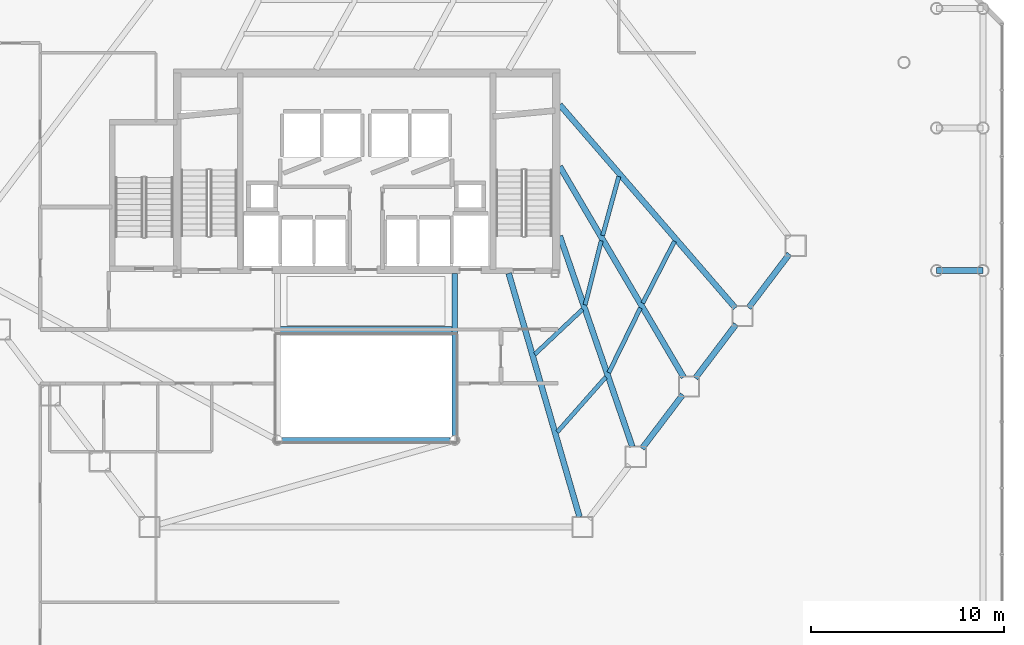
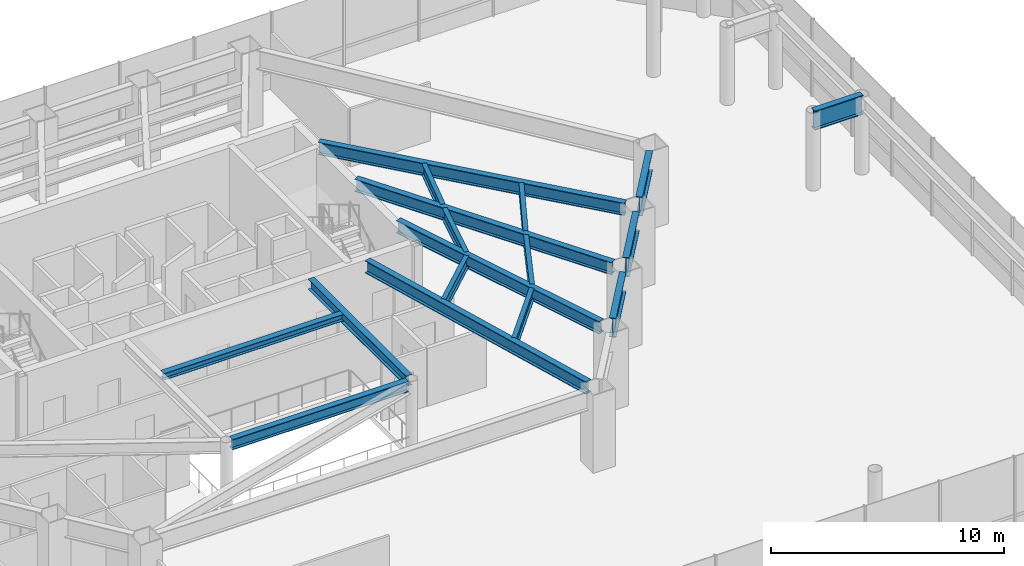
# One storey, part 15 of 33: 17 beams.
"""IFC4 building model written with IfcOpenShell, lengths in metres."""

import ifcopenshell
import ifcopenshell.guid

model = None  # the IFC model being written
_history = None  # IfcOwnerHistory: only IFC2X3 demands one
_inside = {}  # id of a spatial element -> (the spatial element, [elements in it])
_under = {}  # id of a project, library or spatial element -> (it, [spatial elements below it])
_declared = {}  # id of a project -> (the project, [libraries it declares])
_typed = {}  # id of a type object -> (the type object, [elements of that type])
_made_of = {}  # id of a material, layer set ... -> (it, [elements and type objects made of it])


def new_model(schema):
    """Start an empty IFC model of exactly this schema.

    Asked for "IFC4X3", IfcOpenShell would pick the latest addendum, in which some entities
    have other attributes; the version numbers below select the first issue.
    IFC2X3 requires an IfcOwnerHistory on every rooted entity: one is made here for all.
    """
    global model, _history
    if schema == "IFC4X3":
        model = ifcopenshell.file(schema_version=(4, 3, 0, 0))
    else:
        model = ifcopenshell.file(schema=schema)
    _inside.clear()
    _under.clear()
    _declared.clear()
    _typed.clear()
    _made_of.clear()
    _history = None
    if model.schema == "IFC2X3":
        org = make("IfcOrganization", Name="unknown")
        user = make(
            "IfcPersonAndOrganization",
            ThePerson=make("IfcPerson", FamilyName="unknown"),
            TheOrganization=org,
        )
        app = make(
            "IfcApplication",
            ApplicationDeveloper=org,
            Version="unknown",
            ApplicationFullName="unknown",
            ApplicationIdentifier="unknown",
        )
        _history = make(
            "IfcOwnerHistory",
            OwningUser=user,
            OwningApplication=app,
            ChangeAction="ADDED",
            CreationDate=0,
        )
    return model


def make(cls, **values):
    """One entity of the class cls with the attributes given. An attribute that is None is left unset."""
    return model.create_entity(
        cls, **{name: value for name, value in values.items() if value is not None}
    )


def rooted(cls, **values):
    """An entity with a GlobalId (a new one), such as an element, a storey or a relation."""
    return make(cls, GlobalId=ifcopenshell.guid.new(), OwnerHistory=_history, **values)


def si_unit(unit_type, name, prefix=None):
    """IfcSIUnit, for example si_unit("LENGTHUNIT", "METRE", prefix="MILLI")."""
    return make("IfcSIUnit", UnitType=unit_type, Prefix=prefix, Name=name)


def assignment(units):
    """IfcUnitAssignment: the units of a project."""
    return None if units is None else make("IfcUnitAssignment", Units=units)


def point(xyz):
    """IfcCartesianPoint."""
    return None if xyz is None else make("IfcCartesianPoint", Coordinates=xyz)


def direction(xyz):
    """IfcDirection."""
    return None if xyz is None else make("IfcDirection", DirectionRatios=xyz)


def frame(location, z_axis=None, x_axis=None):
    """IfcAxis2Placement3D, a coordinate frame: its origin and axes. An axis left out is left unset."""
    return make(
        "IfcAxis2Placement3D",
        Location=point(location),
        Axis=direction(z_axis),
        RefDirection=direction(x_axis),
    )


def frame_2d(location, x_axis=None):
    """IfcAxis2Placement2D, a coordinate frame in the plane: its origin and x axis."""
    return make(
        "IfcAxis2Placement2D", Location=point(location), RefDirection=direction(x_axis)
    )


def origin():
    """The frame at (0, 0, 0) with its axes left unset."""
    return frame((0.0, 0.0, 0.0))


def origin_2d():
    """The frame at (0, 0) in the plane with its x axis left unset."""
    return frame_2d((0.0, 0.0))


def place(relative_to, where):
    """IfcLocalPlacement: puts the frame where relative to a parent placement (None: the world)."""
    return make(
        "IfcLocalPlacement", PlacementRelTo=relative_to, RelativePlacement=where
    )


def context(
    kind, dimensions, precision=None, world=None, true_north=None, identifier=None
):
    """IfcGeometricRepresentationContext, for example the 3D "Model" context."""
    return make(
        "IfcGeometricRepresentationContext",
        ContextIdentifier=identifier,
        ContextType=kind,
        CoordinateSpaceDimension=dimensions,
        Precision=precision,
        WorldCoordinateSystem=world,
        TrueNorth=true_north,
    )


def subcontext(parent, identifier, kind, view, scale=None):
    """IfcGeometricRepresentationSubContext, for example "Body" below "Model"."""
    return make(
        "IfcGeometricRepresentationSubContext",
        ContextIdentifier=identifier,
        ContextType=kind,
        ParentContext=parent,
        TargetScale=scale,
        TargetView=view,
    )


def project(units=None, contexts=None):
    """IfcProject with its units and contexts."""
    return rooted(
        "IfcProject",
        Name="project",
        RepresentationContexts=contexts,
        UnitsInContext=assignment(units),
    )


def spatial(cls, under=None, at=None, **own):
    """A site, building, storey or space (cls), placed at a placement, below another one or the project."""
    s = rooted(cls, ObjectPlacement=at, **own)
    if under is not None:
        _under.setdefault(under.id(), (under, []))[1].append(s)
    return s


def profile(cls, at=None, kind="AREA", **sizes):
    """A parametric profile (cls). Its sizes go by their IFC names, for example OverallWidth=200.0."""
    return make(cls, ProfileType=kind, Position=at, **sizes)


def i_section(**sizes):
    """IfcIShapeProfileDef."""
    return profile("IfcIShapeProfileDef", **sizes)


def extrude(swept, where, along, depth):
    """IfcExtrudedAreaSolid: the profile swept, set in the frame where, extruded along a direction by depth."""
    return make(
        "IfcExtrudedAreaSolid",
        SweptArea=swept,
        Position=where,
        ExtrudedDirection=direction(along),
        Depth=depth,
    )


def shape(context_of_items, identifier, shape_type, items):
    """IfcShapeRepresentation: the items that make up one representation, for example the "Body"."""
    return make(
        "IfcShapeRepresentation",
        ContextOfItems=context_of_items,
        RepresentationIdentifier=identifier,
        RepresentationType=shape_type,
        Items=items,
    )


def material(Name=None, Category=None):
    """IfcMaterial."""
    return make("IfcMaterial", Name=Name, Category=Category)


def material_profile(
    of_material, cross_section, Name=None, Category=None, Priority=None
):
    """IfcMaterialProfile: a cross section and its material."""
    return make(
        "IfcMaterialProfile",
        Name=Name,
        Material=of_material,
        Profile=cross_section,
        Priority=Priority,
        Category=Category,
    )


def profile_set(profiles, Name=None, composite=None):
    """IfcMaterialProfileSet."""
    return make(
        "IfcMaterialProfileSet",
        Name=Name,
        MaterialProfiles=profiles,
        CompositeProfile=composite,
    )


def made_of(thing, what):
    """Note that an element or type object is made of a material, layer set ...; save() writes the relation."""
    if what is not None:
        _made_of.setdefault(what.id(), (what, []))[1].append(thing)
    return thing


def type_object(cls, material=None, **own):
    """A type object (cls), such as IfcWallType, which elements share."""
    return made_of(rooted(cls, **own), material)


def element(
    cls,
    number,
    at=None,
    inside=None,
    cuts=None,
    type_object=None,
    material=None,
    context=None,
    identifier="Body",
    shape_type=None,
    held_by="IfcProductDefinitionShape",
    body=None,
    shapes=None,
    **own,
):
    """One element of the class cls, such as IfcWall. Its Tag is "e" and its number.

    at: its placement. inside: the storey or other place that contains it. cuts: it is an
    opening in that element (IfcRelVoidsElement). A single representation is given by context,
    identifier, shape_type and body (its items); several are given by shapes. held_by: the class
    of the entity that holds the representations. save() writes the other relations.
    """
    e = rooted(cls, Tag="e%d" % number, ObjectPlacement=at, **own)
    if body is not None:
        shapes = [shape(context, identifier, shape_type, body)]
    if shapes is not None:
        e.Representation = make(held_by, Representations=shapes)
    if inside is not None:
        _inside.setdefault(inside.id(), (inside, []))[1].append(e)
    if cuts is not None:
        rooted(
            "IfcRelVoidsElement", RelatingBuildingElement=cuts, RelatedOpeningElement=e
        )
    if type_object is not None:
        _typed.setdefault(type_object.id(), (type_object, []))[1].append(e)
    return made_of(e, material)


def aggregate(whole, parts):
    """IfcRelAggregates: a whole, such as a stair, and the parts it consists of."""
    return rooted("IfcRelAggregates", RelatingObject=whole, RelatedObjects=parts)


def save(model, path):
    """Write the relations noted so far, then the file.

    IfcRelAggregates (storeys below a building ...), IfcRelContainedInSpatialStructure (elements
    in a storey), IfcRelDefinesByType, IfcRelAssociatesMaterial and IfcRelDeclares: one each for
    every whole, place, type object, material and project.
    """
    for whole, parts in _under.values():
        aggregate(whole, parts)
    for where, things in _inside.values():
        rooted(
            "IfcRelContainedInSpatialStructure",
            RelatedElements=things,
            RelatingStructure=where,
        )
    for kind, things in _typed.values():
        rooted("IfcRelDefinesByType", RelatedObjects=things, RelatingType=kind)
    for what, things in _made_of.values():
        rooted("IfcRelAssociatesMaterial", RelatedObjects=things, RelatingMaterial=what)
    for by, libraries in _declared.values():
        rooted("IfcRelDeclares", RelatingContext=by, RelatedDefinitions=libraries)
    model.write(path)


model = new_model("IFC4")

# Units and contexts
model_context = context("Model", 3, precision=1e-05, world=origin(), true_north=direction((0.0, 1.0)))
body_context = subcontext(model_context, "Body", "Model", "MODEL_VIEW")
ifc_project = project(units=[si_unit("LENGTHUNIT", "METRE"), si_unit("AREAUNIT", "SQUARE_METRE"), si_unit("VOLUMEUNIT", "CUBIC_METRE"), si_unit("PLANEANGLEUNIT", "RADIAN"), si_unit("MASSUNIT", "GRAM", prefix="KILO")], contexts=[model_context])

# Site, building, storey
site_placement = place(None, origin())
site = spatial("IfcSite", under=ifc_project, at=site_placement, CompositionType="ELEMENT")
building_placement = place(site_placement, origin())
building = spatial("IfcBuilding", under=site, at=building_placement, Name="Zarrinselat Tower", CompositionType="ELEMENT")
storey_placement = place(building_placement, frame((0.0, 0.0, 18.360107421875)))
storey = spatial("IfcBuildingStorey", under=building, at=storey_placement, Name="L04", CompositionType="ELEMENT", Elevation=18.360107421875)

# Beams
ifc_material_1 = material(Name="Steel S355J2", Category="steel")
ifc_material_profile_1 = material_profile(ifc_material_1, i_section(OverallWidth=0.300048828125, OverallDepth=0.35009765625, WebThickness=0.010009765625, FlangeThickness=0.017578125, at=origin_2d()), Name="HEA 360")
ifc_profile_set_1 = profile_set([ifc_material_profile_1], Name="Steel S355J2")
beam_type_1 = type_object("IfcBeamType", Name="BM-HEA360", PredefinedType="LINTEL", material=ifc_profile_set_1)
beam_1_placement = place(storey_placement, frame((33.93994140625, 30.14990234375, 3.894775390625), z_axis=(1.0, 0.0, 0.0), x_axis=(0.0, 1.0, 0.0)))
element("IfcBeam", 1, at=beam_1_placement, inside=storey, type_object=beam_type_1, Name="L04 Lift Lobby Ceiling Beam", PredefinedType="LINTEL", context=body_context, shape_type="SweptSolid", body=[
    extrude(i_section(OverallWidth=0.300048828125, OverallDepth=0.35009765625, WebThickness=0.010009765625, FlangeThickness=0.017578125, at=origin_2d()), origin(), (0.0, 0.0, 1.0), 8.920166015625),
])
ifc_material_2 = material(Name="Steel S355J2", Category="steel")
ifc_material_profile_2 = material_profile(ifc_material_2, i_section(OverallWidth=0.300048828125, OverallDepth=0.550048828125, WebThickness=0.014892578125, FlangeThickness=0.029052734375, at=origin_2d()), Name="HEB 550")
ifc_profile_set_2 = profile_set([ifc_material_profile_2], Name="Steel S355J2")
beam_type_2 = type_object("IfcBeamType", Name="BM-HEB550", PredefinedType="BEAM", material=ifc_profile_set_2)
beam_2_placement = place(storey_placement, frame((34.0400390625, 24.39990234375, 3.794921875), z_axis=(1.0, 0.0, 0.0), x_axis=(0.0, 1.0, 0.0)))
element("IfcBeam", 2, at=beam_2_placement, inside=storey, type_object=beam_type_2, Name="L04 Atrium Edge Beam S", PredefinedType="BEAM", context=body_context, shape_type="SweptSolid", body=[
    extrude(i_section(OverallWidth=0.300048828125, OverallDepth=0.550048828125, WebThickness=0.014892578125, FlangeThickness=0.029052734375, at=origin_2d()), origin(), (0.0, 0.0, 1.0), 8.719970703125),
])
beam_3_placement = place(storey_placement, frame((43.0, 24.639892578125, 3.794921875), z_axis=(0.0, 1.0, 0.0), x_axis=(-1.0, 0.0, 0.0)))
element("IfcBeam", 3, at=beam_3_placement, inside=storey, type_object=beam_type_2, Name="L04 Atrium Edge Beam E", PredefinedType="BEAM", context=body_context, shape_type="SweptSolid", body=[
    extrude(i_section(OverallWidth=0.300048828125, OverallDepth=0.550048828125, WebThickness=0.014892578125, FlangeThickness=0.029052734375, at=origin_2d()), origin(), (0.0, 0.0, 1.0), 8.420166015625),
])
ifc_material_3 = material(Name="Steel S355J2", Category="steel")
ifc_material_profile_3 = material_profile(ifc_material_3, i_section(OverallWidth=0.300048828125, OverallDepth=0.64990234375, WebThickness=0.01611328125, FlangeThickness=0.031005859375, at=origin_2d()), Name="HEB 650")
ifc_profile_set_3 = profile_set([ifc_material_profile_3], Name="Steel S355J2")
beam_type_3 = type_object("IfcBeamType", Name="BM-HEB650", PredefinedType="BEAM", material=ifc_profile_set_3)
beam_4_placement = place(storey_placement, frame((45.800048828125, 33.06005859375, 3.744873046875), z_axis=(0.279154101164, -0.960246316214, 0.0), x_axis=(0.960246316214, 0.279154101164, 0.0)))
element("IfcBeam", 4, at=beam_4_placement, inside=storey, type_object=beam_type_3, Name="L04 Radial Primary Girder RG11", PredefinedType="BEAM", context=body_context, shape_type="SweptSolid", body=[
    extrude(i_section(OverallWidth=0.300048828125, OverallDepth=0.64990234375, WebThickness=0.01611328125, FlangeThickness=0.031005859375, at=origin_2d()), origin(), (0.0, 0.0, 1.0), 13.156982421875),
])
beam_5_placement = place(storey_placement, frame((48.449951171875, 35.0, 3.744873046875), z_axis=(0.325366553605, -0.945587968301, 0.0), x_axis=(0.945587968301, 0.325366553605, 0.0)))
element("IfcBeam", 5, at=beam_5_placement, inside=storey, type_object=beam_type_3, Name="L04 Radial Primary Girder RG12", PredefinedType="BEAM", context=body_context, shape_type="SweptSolid", body=[
    extrude(i_section(OverallWidth=0.300048828125, OverallDepth=0.64990234375, WebThickness=0.01611328125, FlangeThickness=0.031005859375, at=origin_2d()), origin(), (0.0, 0.0, 1.0), 11.562255859375),
])
beam_6_placement = place(storey_placement, frame((48.449951171875, 38.60009765625, 3.744873046875), z_axis=(0.506815631178, -0.862054473913, 0.0), x_axis=(0.862054473913, 0.506815631178, 0.0)))
element("IfcBeam", 6, at=beam_6_placement, inside=storey, type_object=beam_type_3, Name="L04 Radial Primary Girder RG13", PredefinedType="BEAM", context=body_context, shape_type="SweptSolid", body=[
    extrude(i_section(OverallWidth=0.300048828125, OverallDepth=0.64990234375, WebThickness=0.01611328125, FlangeThickness=0.031005859375, at=origin_2d()), origin(), (0.0, 0.0, 1.0), 12.67919921875),
])
beam_7_placement = place(storey_placement, frame((48.449951171875, 41.800048828125, 3.744873046875), z_axis=(0.653899074597, -0.756581786882, 0.0), x_axis=(0.756581786882, 0.653899074597, 0.0)))
element("IfcBeam", 7, at=beam_7_placement, inside=storey, type_object=beam_type_3, Name="L04 Radial Primary Girder RG14", PredefinedType="BEAM", context=body_context, shape_type="SweptSolid", body=[
    extrude(i_section(OverallWidth=0.300048828125, OverallDepth=0.64990234375, WebThickness=0.01611328125, FlangeThickness=0.031005859375, at=origin_2d()), origin(), (0.0, 0.0, 1.0), 13.930419921875),
])
ifc_material_4 = material(Name="Steel S460M", Category="steel")
ifc_material_profile_4 = material_profile(ifc_material_4, i_section(OverallWidth=0.302001953125, OverallDepth=1.008056640625, WebThickness=0.02099609375, FlangeThickness=0.0400390625, at=origin_2d()), Name="HEM 1000")
ifc_profile_set_4 = profile_set([ifc_material_profile_4], Name="Steel S460M")
beam_type_4 = type_object("IfcBeamType", Name="BM-HEM1000", PredefinedType="BEAM", material=ifc_profile_set_4)
beam_8_placement = place(storey_placement, frame((52.71630859375, 23.973876953125, 3.56591796875), z_axis=(0.603841579957, 0.797104350958, 0.0), x_axis=(-0.797104350958, 0.603841579957, 0.0)))
element("IfcBeam", 8, at=beam_8_placement, inside=storey, type_object=beam_type_4, Name="L04 Perimeter Spandrel Girder SP12", PredefinedType="BEAM", context=body_context, shape_type="SweptSolid", body=[
    extrude(i_section(OverallWidth=0.302001953125, OverallDepth=1.008056640625, WebThickness=0.02099609375, FlangeThickness=0.0400390625, at=origin_2d()), origin(), (0.0, 0.0, 1.0), 3.501708984375),
])
for number, where, z_axis, x_axis, name in (
    (9, (55.480712890625, 27.622802734375, 3.56591796875), (0.60380802351, 0.797129770329, 0.0), (-0.797129770329, 0.60380802351, 0.0), "L04 Perimeter Spandrel Girder SP13"),
    (10, (58.2451171875, 31.271728515625, 3.56591796875), (0.60380802351, 0.797129770329, 0.0), (-0.797129770329, 0.60380802351, 0.0), "L04 Perimeter Spandrel Girder SP14"),
):
    element("IfcBeam", number, at=place(storey_placement, frame(where, z_axis=z_axis, x_axis=x_axis)), inside=storey, type_object=beam_type_4, Name=name, PredefinedType="BEAM", context=body_context, shape_type="SweptSolid", body=[
        extrude(i_section(OverallWidth=0.302001953125, OverallDepth=1.008056640625, WebThickness=0.02099609375, FlangeThickness=0.0400390625, at=origin_2d()), origin(), (0.0, 0.0, 1.0), 3.501953125),
    ])
ifc_material_5 = material(Name="Steel S355J2", Category="steel")
ifc_material_profile_5 = material_profile(ifc_material_5, i_section(OverallWidth=0.219970703125, OverallDepth=0.60009765625, WebThickness=0.011962890625, FlangeThickness=0.01904296875, at=origin_2d()), Name="IPE 600")
ifc_profile_set_5 = profile_set([ifc_material_profile_5], Name="Steel S355J2")
beam_type_5 = type_object("IfcBeamType", Name="BM-IPE600", PredefinedType="JOIST", material=ifc_profile_set_5)
beam_9_placement = place(storey_placement, frame((48.31689453125, 24.826416015625, 3.769775390625), z_axis=(0.662479827285, 0.749079754393, 0.0), x_axis=(-0.749079754393, 0.662479827285, 0.0)))
element("IfcBeam", 11, at=beam_9_placement, inside=storey, type_object=beam_type_5, Name="L04 Composite Floor Joist 3-1", PredefinedType="JOIST", context=body_context, shape_type="SweptSolid", body=[
    extrude(i_section(OverallWidth=0.219970703125, OverallDepth=0.60009765625, WebThickness=0.011962890625, FlangeThickness=0.01904296875, at=origin_2d()), origin(), (0.0, 0.0, 1.0), 3.80859375),
])
beam_10_placement = place(storey_placement, frame((47.15087890625, 28.8603515625, 3.769775390625), z_axis=(0.728752445386, 0.684777243594, 0.0), x_axis=(-0.684777243594, 0.728752445386, 0.0)))
element("IfcBeam", 12, at=beam_10_placement, inside=storey, type_object=beam_type_5, Name="L04 Composite Floor Joist 3-2", PredefinedType="JOIST", context=body_context, shape_type="SweptSolid", body=[
    extrude(i_section(OverallWidth=0.219970703125, OverallDepth=0.60009765625, WebThickness=0.011962890625, FlangeThickness=0.01904296875, at=origin_2d()), origin(), (0.0, 0.0, 1.0), 3.397705078125),
])
beam_11_placement = place(storey_placement, frame((50.994140625, 27.909912109375, 3.769775390625), z_axis=(0.438680359766, 0.8986431672, 0.0), x_axis=(-0.8986431672, 0.438680359766, 0.0)))
element("IfcBeam", 13, at=beam_11_placement, inside=storey, type_object=beam_type_5, Name="L04 Composite Floor Joist 4-1", PredefinedType="JOIST", context=body_context, shape_type="SweptSolid", body=[
    extrude(i_section(OverallWidth=0.219970703125, OverallDepth=0.60009765625, WebThickness=0.011962890625, FlangeThickness=0.01904296875, at=origin_2d()), origin(), (0.0, 0.0, 1.0), 3.728271484375),
])
beam_12_placement = place(storey_placement, frame((49.76318359375, 31.418701171875, 3.769775390625), z_axis=(0.243924209256, 0.969794297848, 0.0), x_axis=(-0.969794297848, 0.243924209256, 0.0)))
element("IfcBeam", 14, at=beam_12_placement, inside=storey, type_object=beam_type_5, Name="L04 Composite Floor Joist 4-2", PredefinedType="JOIST", context=body_context, shape_type="SweptSolid", body=[
    extrude(i_section(OverallWidth=0.219970703125, OverallDepth=0.60009765625, WebThickness=0.011962890625, FlangeThickness=0.01904296875, at=origin_2d()), origin(), (0.0, 0.0, 1.0), 3.43310546875),
])
beam_13_placement = place(storey_placement, frame((52.7548828125, 31.5107421875, 3.769775390625), z_axis=(0.455833998085, 0.890064810107, 0.0), x_axis=(-0.890064810107, 0.455833998085, 0.0)))
element("IfcBeam", 15, at=beam_13_placement, inside=storey, type_object=beam_type_5, Name="L04 Composite Floor Joist 5-1", PredefinedType="JOIST", context=body_context, shape_type="SweptSolid", body=[
    extrude(i_section(OverallWidth=0.219970703125, OverallDepth=0.60009765625, WebThickness=0.011962890625, FlangeThickness=0.01904296875, at=origin_2d()), origin(), (0.0, 0.0, 1.0), 3.60498046875),
])
beam_14_placement = place(storey_placement, frame((50.671875, 35.018798828125, 3.769775390625), z_axis=(0.26395004358, 0.964536352085, 0.0), x_axis=(-0.964536352085, 0.26395004358, 0.0)))
element("IfcBeam", 16, at=beam_14_placement, inside=storey, type_object=beam_type_5, Name="L04 Composite Floor Joist 5-2", PredefinedType="JOIST", context=body_context, shape_type="SweptSolid", body=[
    extrude(i_section(OverallWidth=0.219970703125, OverallDepth=0.60009765625, WebThickness=0.011962890625, FlangeThickness=0.01904296875, at=origin_2d()), origin(), (0.0, 0.0, 1.0), 3.17529296875),
])
ifc_material_6 = material(Name="Steel S460M", Category="steel")
ifc_material_profile_6 = material_profile(ifc_material_6, i_section(OverallWidth=0.302001953125, OverallDepth=1.008056640625, WebThickness=0.02099609375, FlangeThickness=0.0400390625, at=origin_2d()), Name="HEM 1000")
ifc_profile_set_6 = profile_set([ifc_material_profile_6], Name="Steel S460M")
beam_type_6 = type_object("IfcBeamType", Name="BM-PDTR-HEM1000", PredefinedType="BEAM", material=ifc_profile_set_6)
beam_15_placement = place(storey_placement, frame((68.0, 33.199951171875, 3.56591796875), z_axis=(1.0, 0.0, 0.0), x_axis=(0.0, 1.0, 0.0)))
element("IfcBeam", 17, at=beam_15_placement, inside=storey, type_object=beam_type_6, Name="L04 Podium Transfer Girder E-33", PredefinedType="BEAM", context=body_context, shape_type="SweptSolid", body=[
    extrude(i_section(OverallWidth=0.302001953125, OverallDepth=1.008056640625, WebThickness=0.02099609375, FlangeThickness=0.0400390625, at=origin_2d()), origin(), (0.0, 0.0, 1.0), 2.39990234375),
])

save(model, "model.ifc")
